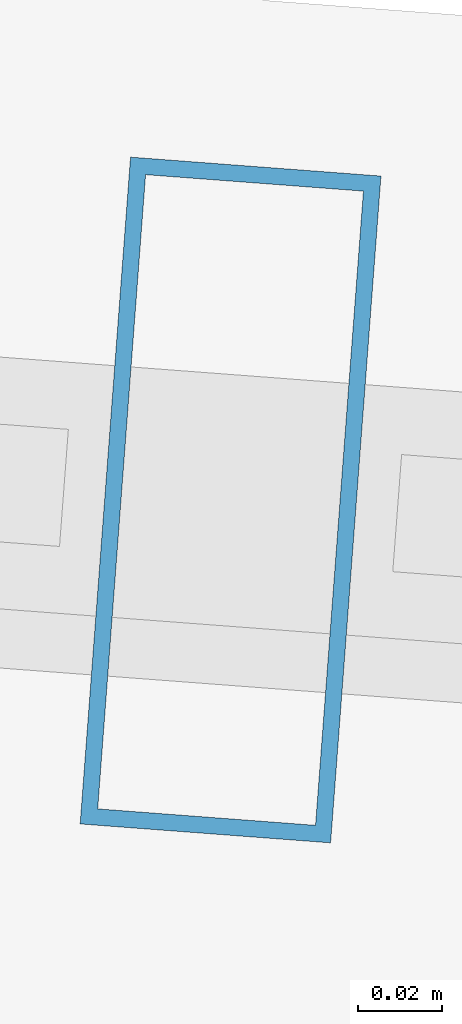
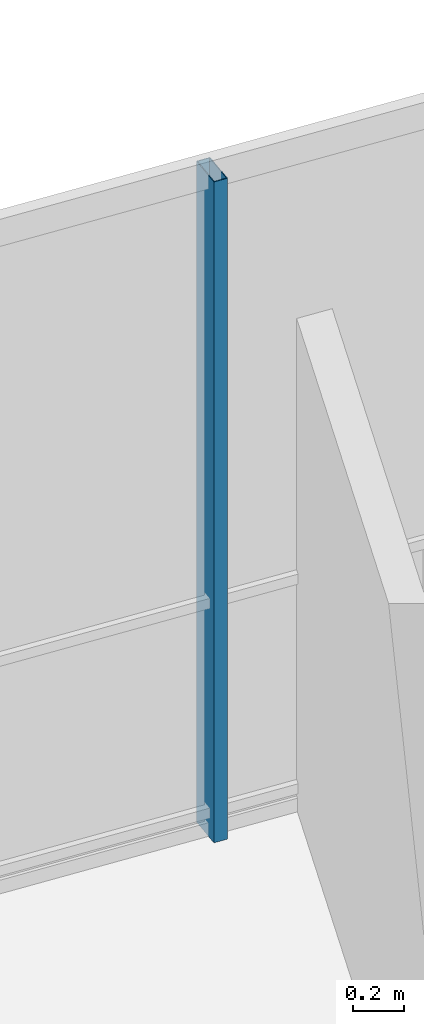
# One storey, part 22 of 30: 1 member, 1 element without a shape of its own.
"""IFC4 building model written with IfcOpenShell, lengths in metres."""

import ifcopenshell
import ifcopenshell.guid

model = None  # the IFC model being written
_history = None  # IfcOwnerHistory: only IFC2X3 demands one
_inside = {}  # id of a spatial element -> (the spatial element, [elements in it])
_under = {}  # id of a project, library or spatial element -> (it, [spatial elements below it])
_declared = {}  # id of a project -> (the project, [libraries it declares])
_typed = {}  # id of a type object -> (the type object, [elements of that type])
_made_of = {}  # id of a material, layer set ... -> (it, [elements and type objects made of it])


def new_model(schema):
    """Start an empty IFC model of exactly this schema.

    Asked for "IFC4X3", IfcOpenShell would pick the latest addendum, in which some entities
    have other attributes; the version numbers below select the first issue.
    IFC2X3 requires an IfcOwnerHistory on every rooted entity: one is made here for all.
    """
    global model, _history
    if schema == "IFC4X3":
        model = ifcopenshell.file(schema_version=(4, 3, 0, 0))
    else:
        model = ifcopenshell.file(schema=schema)
    _inside.clear()
    _under.clear()
    _declared.clear()
    _typed.clear()
    _made_of.clear()
    _history = None
    if model.schema == "IFC2X3":
        org = make("IfcOrganization", Name="unknown")
        user = make(
            "IfcPersonAndOrganization",
            ThePerson=make("IfcPerson", FamilyName="unknown"),
            TheOrganization=org,
        )
        app = make(
            "IfcApplication",
            ApplicationDeveloper=org,
            Version="unknown",
            ApplicationFullName="unknown",
            ApplicationIdentifier="unknown",
        )
        _history = make(
            "IfcOwnerHistory",
            OwningUser=user,
            OwningApplication=app,
            ChangeAction="ADDED",
            CreationDate=0,
        )
    return model


def make(cls, **values):
    """One entity of the class cls with the attributes given. An attribute that is None is left unset."""
    return model.create_entity(
        cls, **{name: value for name, value in values.items() if value is not None}
    )


def rooted(cls, **values):
    """An entity with a GlobalId (a new one), such as an element, a storey or a relation."""
    return make(cls, GlobalId=ifcopenshell.guid.new(), OwnerHistory=_history, **values)


def si_unit(unit_type, name, prefix=None):
    """IfcSIUnit, for example si_unit("LENGTHUNIT", "METRE", prefix="MILLI")."""
    return make("IfcSIUnit", UnitType=unit_type, Prefix=prefix, Name=name)


def assignment(units):
    """IfcUnitAssignment: the units of a project."""
    return None if units is None else make("IfcUnitAssignment", Units=units)


def point(xyz):
    """IfcCartesianPoint."""
    return None if xyz is None else make("IfcCartesianPoint", Coordinates=xyz)


def direction(xyz):
    """IfcDirection."""
    return None if xyz is None else make("IfcDirection", DirectionRatios=xyz)


def frame(location, z_axis=None, x_axis=None):
    """IfcAxis2Placement3D, a coordinate frame: its origin and axes. An axis left out is left unset."""
    return make(
        "IfcAxis2Placement3D",
        Location=point(location),
        Axis=direction(z_axis),
        RefDirection=direction(x_axis),
    )


def frame_2d(location, x_axis=None):
    """IfcAxis2Placement2D, a coordinate frame in the plane: its origin and x axis."""
    return make(
        "IfcAxis2Placement2D", Location=point(location), RefDirection=direction(x_axis)
    )


def origin():
    """The frame at (0, 0, 0) with its axes left unset."""
    return frame((0.0, 0.0, 0.0))


def origin_2d():
    """The frame at (0, 0) in the plane with its x axis left unset."""
    return frame_2d((0.0, 0.0))


def place(relative_to, where):
    """IfcLocalPlacement: puts the frame where relative to a parent placement (None: the world)."""
    return make(
        "IfcLocalPlacement", PlacementRelTo=relative_to, RelativePlacement=where
    )


def context(
    kind, dimensions, precision=None, world=None, true_north=None, identifier=None
):
    """IfcGeometricRepresentationContext, for example the 3D "Model" context."""
    return make(
        "IfcGeometricRepresentationContext",
        ContextIdentifier=identifier,
        ContextType=kind,
        CoordinateSpaceDimension=dimensions,
        Precision=precision,
        WorldCoordinateSystem=world,
        TrueNorth=true_north,
    )


def subcontext(parent, identifier, kind, view, scale=None):
    """IfcGeometricRepresentationSubContext, for example "Body" below "Model"."""
    return make(
        "IfcGeometricRepresentationSubContext",
        ContextIdentifier=identifier,
        ContextType=kind,
        ParentContext=parent,
        TargetScale=scale,
        TargetView=view,
    )


def project(units=None, contexts=None):
    """IfcProject with its units and contexts."""
    return rooted(
        "IfcProject",
        Name="project",
        RepresentationContexts=contexts,
        UnitsInContext=assignment(units),
    )


def spatial(cls, under=None, at=None, **own):
    """A site, building, storey or space (cls), placed at a placement, below another one or the project."""
    s = rooted(cls, ObjectPlacement=at, **own)
    if under is not None:
        _under.setdefault(under.id(), (under, []))[1].append(s)
    return s


def profile(cls, at=None, kind="AREA", **sizes):
    """A parametric profile (cls). Its sizes go by their IFC names, for example OverallWidth=200.0."""
    return make(cls, ProfileType=kind, Position=at, **sizes)


def hollow_rectangle(**sizes):
    """IfcRectangleHollowProfileDef."""
    return profile("IfcRectangleHollowProfileDef", **sizes)


def extrude(swept, where, along, depth):
    """IfcExtrudedAreaSolid: the profile swept, set in the frame where, extruded along a direction by depth."""
    return make(
        "IfcExtrudedAreaSolid",
        SweptArea=swept,
        Position=where,
        ExtrudedDirection=direction(along),
        Depth=depth,
    )


def shape(context_of_items, identifier, shape_type, items):
    """IfcShapeRepresentation: the items that make up one representation, for example the "Body"."""
    return make(
        "IfcShapeRepresentation",
        ContextOfItems=context_of_items,
        RepresentationIdentifier=identifier,
        RepresentationType=shape_type,
        Items=items,
    )


def material(Name=None, Category=None):
    """IfcMaterial."""
    return make("IfcMaterial", Name=Name, Category=Category)


def layer(
    of_material, thickness, ventilated=None, Name=None, Category=None, Priority=None
):
    """IfcMaterialLayer: one layer of a wall or slab, of a material (None: an air gap)."""
    return make(
        "IfcMaterialLayer",
        Material=of_material,
        LayerThickness=thickness,
        IsVentilated=ventilated,
        Name=Name,
        Category=Category,
        Priority=Priority,
    )


def layer_set(layers, Name=None):
    """IfcMaterialLayerSet."""
    return make("IfcMaterialLayerSet", MaterialLayers=layers, LayerSetName=Name)


def material_profile(
    of_material, cross_section, Name=None, Category=None, Priority=None
):
    """IfcMaterialProfile: a cross section and its material."""
    return make(
        "IfcMaterialProfile",
        Name=Name,
        Material=of_material,
        Profile=cross_section,
        Priority=Priority,
        Category=Category,
    )


def profile_set(profiles, Name=None, composite=None):
    """IfcMaterialProfileSet."""
    return make(
        "IfcMaterialProfileSet",
        Name=Name,
        MaterialProfiles=profiles,
        CompositeProfile=composite,
    )


def made_of(thing, what):
    """Note that an element or type object is made of a material, layer set ...; save() writes the relation."""
    if what is not None:
        _made_of.setdefault(what.id(), (what, []))[1].append(thing)
    return thing


def type_object(cls, material=None, **own):
    """A type object (cls), such as IfcWallType, which elements share."""
    return made_of(rooted(cls, **own), material)


def element(
    cls,
    number,
    at=None,
    inside=None,
    cuts=None,
    type_object=None,
    material=None,
    context=None,
    identifier="Body",
    shape_type=None,
    held_by="IfcProductDefinitionShape",
    body=None,
    shapes=None,
    **own,
):
    """One element of the class cls, such as IfcWall. Its Tag is "e" and its number.

    at: its placement. inside: the storey or other place that contains it. cuts: it is an
    opening in that element (IfcRelVoidsElement). A single representation is given by context,
    identifier, shape_type and body (its items); several are given by shapes. held_by: the class
    of the entity that holds the representations. save() writes the other relations.
    """
    e = rooted(cls, Tag="e%d" % number, ObjectPlacement=at, **own)
    if body is not None:
        shapes = [shape(context, identifier, shape_type, body)]
    if shapes is not None:
        e.Representation = make(held_by, Representations=shapes)
    if inside is not None:
        _inside.setdefault(inside.id(), (inside, []))[1].append(e)
    if cuts is not None:
        rooted(
            "IfcRelVoidsElement", RelatingBuildingElement=cuts, RelatedOpeningElement=e
        )
    if type_object is not None:
        _typed.setdefault(type_object.id(), (type_object, []))[1].append(e)
    return made_of(e, material)


def aggregate(whole, parts):
    """IfcRelAggregates: a whole, such as a stair, and the parts it consists of."""
    return rooted("IfcRelAggregates", RelatingObject=whole, RelatedObjects=parts)


def save(model, path):
    """Write the relations noted so far, then the file.

    IfcRelAggregates (storeys below a building ...), IfcRelContainedInSpatialStructure (elements
    in a storey), IfcRelDefinesByType, IfcRelAssociatesMaterial and IfcRelDeclares: one each for
    every whole, place, type object, material and project.
    """
    for whole, parts in _under.values():
        aggregate(whole, parts)
    for where, things in _inside.values():
        rooted(
            "IfcRelContainedInSpatialStructure",
            RelatedElements=things,
            RelatingStructure=where,
        )
    for kind, things in _typed.values():
        rooted("IfcRelDefinesByType", RelatedObjects=things, RelatingType=kind)
    for what, things in _made_of.values():
        rooted("IfcRelAssociatesMaterial", RelatedObjects=things, RelatingMaterial=what)
    for by, libraries in _declared.values():
        rooted("IfcRelDeclares", RelatingContext=by, RelatedDefinitions=libraries)
    model.write(path)


model = new_model("IFC4")

# Units and contexts
model_context = context("Model", 3, precision=1e-05, world=origin(), true_north=direction((0.0, 1.0)))
body_context = subcontext(model_context, "Body", "Model", "MODEL_VIEW")
ifc_project = project(units=[si_unit("LENGTHUNIT", "METRE"), si_unit("AREAUNIT", "SQUARE_METRE"), si_unit("VOLUMEUNIT", "CUBIC_METRE"), si_unit("PLANEANGLEUNIT", "RADIAN"), si_unit("MASSUNIT", "GRAM", prefix="KILO")], contexts=[model_context])

# Site, building, storey
site_placement = place(None, origin())
site = spatial("IfcSite", under=ifc_project, at=site_placement, CompositionType="ELEMENT")
building_placement = place(site_placement, origin())
building = spatial("IfcBuilding", under=site, at=building_placement, Name="Qarnah Convention Tower", CompositionType="ELEMENT")
storey_placement = place(building_placement, frame((0.0, 0.0, 51.14990234375)))
storey = spatial("IfcBuildingStorey", under=building, at=storey_placement, Name="L12", CompositionType="ELEMENT", Elevation=51.14990234375)

# Curtain wall, member
ifc_material_1 = material(Name="Tempered Low-E dark glass", Category="glass")
ifc_layer = layer(ifc_material_1, 0.16796875)
ifc_layer_set = layer_set([ifc_layer], Name="Tempered Low-E dark glass")
curtain_wall_type = type_object("IfcCurtainWallType", Name="CWS-01", PredefinedType="NOTDEFINED", material=ifc_layer_set)
curtain_wall_placement = place(storey_placement, origin())
curtain_wall = element("IfcCurtainWall", 1, at=curtain_wall_placement, inside=storey, type_object=curtain_wall_type, Name="L12 unitised curtain wall CW-L12-F2", PredefinedType="NOTDEFINED")
ifc_material_2 = material(Name="Black anodised aluminium", Category="aluminium")
ifc_material_profile = material_profile(ifc_material_2, hollow_rectangle(XDim=0.06005859375, YDim=0.159912109375, WallThickness=0.00390625, at=origin_2d()), Name="MUL-60X160")
ifc_profile_set = profile_set([ifc_material_profile], Name="Black anodised aluminium")
member_type = type_object("IfcMemberType", Name="MUL-T1", PredefinedType="MULLION", material=ifc_profile_set)
member_placement = place(storey_placement, frame((43.237548828125, 44.456298828125, 0.0), z_axis=(0.0, 0.0, 1.0), x_axis=(0.997159055393, -0.07532475189, 0.0)))
member = element("IfcMember", 2, at=member_placement, type_object=member_type, Name="CW-L12-F2 mullion 4", PredefinedType="MULLION", context=body_context, shape_type="SweptSolid", body=[
    extrude(hollow_rectangle(XDim=0.06005859375, YDim=0.159912109375, WallThickness=0.00390625, at=origin_2d()), origin(), (0.0, 0.0, 1.0), 3.170166015625),
])
aggregate(curtain_wall, [member])

save(model, "model.ifc")
